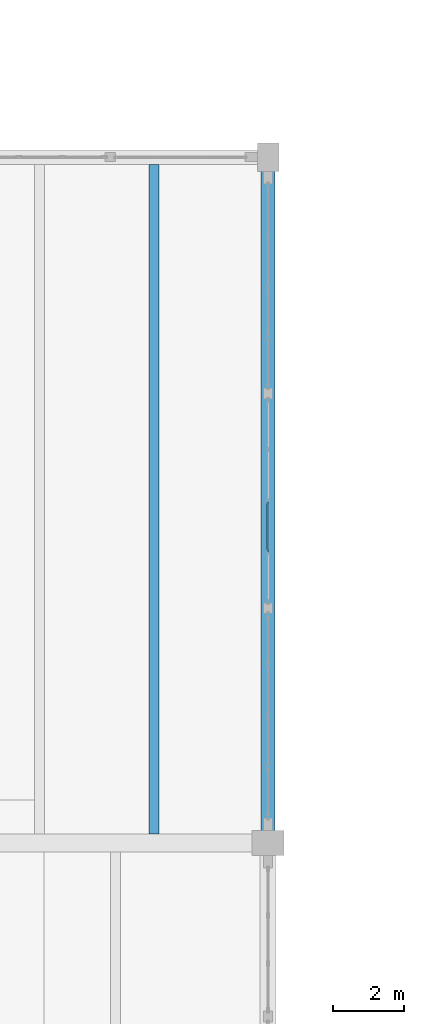
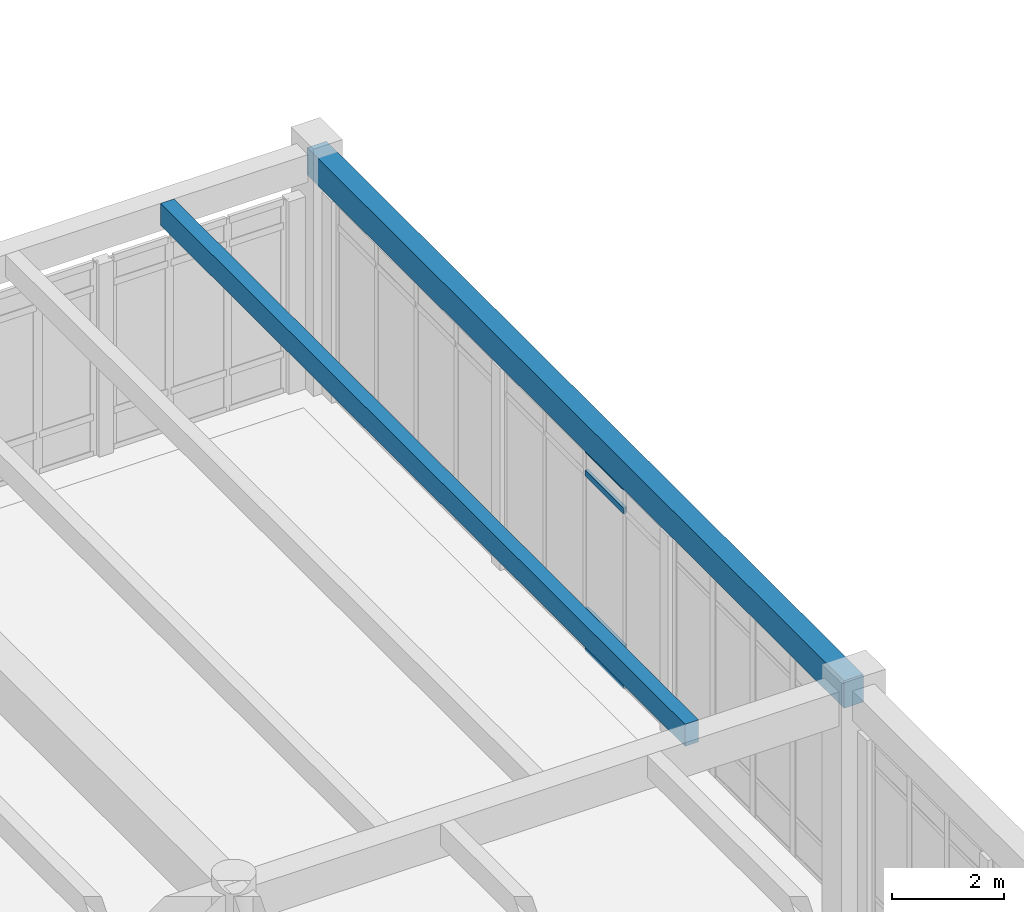
# One storey, part 75 of 138: 4 members, 2 beams, 1 element without a shape of its own.
"""IFC4 building model written with IfcOpenShell, lengths in metres."""

from ifc_helpers import new_model, si_unit, direction, frame, origin, origin_2d, place, context, subcontext, project, spatial, rectangle, hollow_rectangle, extrude, material, layer, layer_set, material_profile, profile_set, type_object, element, aggregate, save


model = new_model("IFC4")

# Units and contexts
model_context = context("Model", 3, precision=1e-05, world=origin(), true_north=direction((0.0, 1.0)))
body_context = subcontext(model_context, "Body", "Model", "MODEL_VIEW")
ifc_project = project(units=[si_unit("LENGTHUNIT", "METRE"), si_unit("AREAUNIT", "SQUARE_METRE"), si_unit("VOLUMEUNIT", "CUBIC_METRE"), si_unit("PLANEANGLEUNIT", "RADIAN"), si_unit("MASSUNIT", "GRAM", prefix="KILO")], contexts=[model_context])

# Site, building, storey
site_placement = place(None, origin())
site = spatial("IfcSite", under=ifc_project, at=site_placement, CompositionType="ELEMENT")
building_placement = place(site_placement, origin())
building = spatial("IfcBuilding", under=site, at=building_placement, Name="Fikremerkos Civic Library", CompositionType="ELEMENT")
storey_placement = place(building_placement, origin())
storey = spatial("IfcBuildingStorey", under=building, at=storey_placement, Name="L00", CompositionType="ELEMENT", Elevation=0.0)

# Curtain wall, members
ifc_material_1 = material(Name="Anodized aluminium Frame", Category="aluminium")
ifc_layer = layer(ifc_material_1, 0.159912109375, Name="Anodized aluminium Frame")
ifc_layer_set = layer_set([ifc_layer], Name="Anodized aluminium Frame")
curtain_wall_type = type_object("IfcCurtainWallType", Name="Unitised curtain wall CW-12 4300x3400", PredefinedType="USERDEFINED", material=ifc_layer_set)
curtain_wall_placement = place(storey_placement, origin())
curtain_wall = element("IfcCurtainWall", 1, at=curtain_wall_placement, inside=storey, type_object=curtain_wall_type, Name="Unitised curtain wall CW-12 L00 #66", ObjectType="UNITISED CURTAIN WALL", PredefinedType="USERDEFINED")
ifc_material_profile_1 = material_profile(ifc_material_1, hollow_rectangle(XDim=0.06494140625, YDim=0.135009765625, WallThickness=0.00439453125, at=origin_2d()), Name="ALU 135x65x4.5")
ifc_profile_set_1 = profile_set([ifc_material_profile_1], Name="Anodized aluminium Frame")
member_type = type_object("IfcMemberType", Name="Curtain transom CWT-02 ALU 135x65x4.5", PredefinedType="USERDEFINED", material=ifc_profile_set_1)
member_1_placement = place(storey_placement, frame((147.199951171875, 67.14501953125, 0.032470703125), z_axis=(0.0, -1.0, 0.0), x_axis=(1.0, 0.0, 0.0)))
member_1 = element("IfcMember", 2, at=member_1_placement, type_object=member_type, Name="CW-12 transom 3.1", ObjectType="TRANSOM", PredefinedType="USERDEFINED", context=body_context, shape_type="SweptSolid", body=[
    extrude(hollow_rectangle(XDim=0.06494140625, YDim=0.135009765625, WallThickness=0.00439453125, at=origin_2d()), origin(), (0.0, 0.0, 1.0), 1.36962890625),
])
member_2_placement = place(storey_placement, frame((147.199951171875, 67.14501953125, 0.85009765625), z_axis=(0.0, -1.0, 0.0), x_axis=(1.0, 0.0, 0.0)))
member_2 = element("IfcMember", 3, at=member_2_placement, type_object=member_type, Name="CW-12 transom 3.2", ObjectType="TRANSOM", PredefinedType="USERDEFINED", context=body_context, shape_type="SweptSolid", body=[
    extrude(hollow_rectangle(XDim=0.06494140625, YDim=0.135009765625, WallThickness=0.00439453125, at=origin_2d()), origin(), (0.0, 0.0, 1.0), 1.36962890625),
])
member_3_placement = place(storey_placement, frame((147.199951171875, 67.14501953125, 3.85009765625), z_axis=(0.0, -1.0, 0.0), x_axis=(1.0, 0.0, 0.0)))
member_3 = element("IfcMember", 4, at=member_3_placement, type_object=member_type, Name="CW-12 transom 3.3", ObjectType="TRANSOM", PredefinedType="USERDEFINED", context=body_context, shape_type="SweptSolid", body=[
    extrude(hollow_rectangle(XDim=0.06494140625, YDim=0.135009765625, WallThickness=0.00439453125, at=origin_2d()), origin(), (0.0, 0.0, 1.0), 1.36962890625),
])
member_4_placement = place(storey_placement, frame((147.199951171875, 67.14501953125, 4.367431640625), z_axis=(0.0, -1.0, 0.0), x_axis=(1.0, 0.0, 0.0)))
member_4 = element("IfcMember", 5, at=member_4_placement, type_object=member_type, Name="CW-12 transom 3.4", ObjectType="TRANSOM", PredefinedType="USERDEFINED", context=body_context, shape_type="SweptSolid", body=[
    extrude(hollow_rectangle(XDim=0.06494140625, YDim=0.135009765625, WallThickness=0.00439453125, at=origin_2d()), origin(), (0.0, 0.0, 1.0), 1.36962890625),
])
aggregate(curtain_wall, [member_1, member_2, member_3, member_4])

# Beams
ifc_material_2 = material(Name="Concrete C40/50", Category="concrete")
ifc_material_profile_2 = material_profile(ifc_material_2, rectangle(XDim=0.280029296875, YDim=0.47998046875, at=origin_2d()), Name="RC 280x480")
ifc_profile_set_2 = profile_set([ifc_material_profile_2], Name="Concrete C40/50")
beam_type_1 = type_object("IfcBeamType", Name="Floor joist JS-04 RC 280x480", PredefinedType="JOIST", material=ifc_profile_set_2)
beam_1_placement = place(storey_placement, frame((144.0, 57.85009765625, 4.919921875), z_axis=(0.0, 1.0, 0.0), x_axis=(-1.0, 0.0, 0.0)))
element("IfcBeam", 6, at=beam_1_placement, inside=storey, type_object=beam_type_1, Name="Floor joist JS-04 L00 #381", PredefinedType="JOIST", context=body_context, shape_type="SweptSolid", body=[
    extrude(rectangle(XDim=0.280029296875, YDim=0.47998046875, at=origin_2d()), origin(), (0.0, 0.0, 1.0), 18.75),
])
ifc_material_profile_3 = material_profile(ifc_material_2, rectangle(XDim=0.39990234375, YDim=0.60009765625, at=origin_2d()), Name="RC 400x600")
ifc_profile_set_3 = profile_set([ifc_material_profile_3], Name="Concrete C40/50")
beam_type_2 = type_object("IfcBeamType", Name="Primary girder BM-08 RC 400x600", PredefinedType="BEAM", material=ifc_profile_set_3)
beam_2_placement = place(storey_placement, frame((147.199951171875, 57.60009765625, 4.860107421875), z_axis=(0.0, 1.0, 0.0), x_axis=(-1.0, 0.0, 0.0)))
element("IfcBeam", 7, at=beam_2_placement, inside=storey, type_object=beam_type_2, Name="Primary girder BM-08 L00 grid 13", PredefinedType="BEAM", context=body_context, shape_type="SweptSolid", body=[
    extrude(rectangle(XDim=0.39990234375, YDim=0.60009765625, at=origin_2d()), origin(), (0.0, 0.0, 1.0), 19.199951171875),
])

save(model, "model.ifc")
